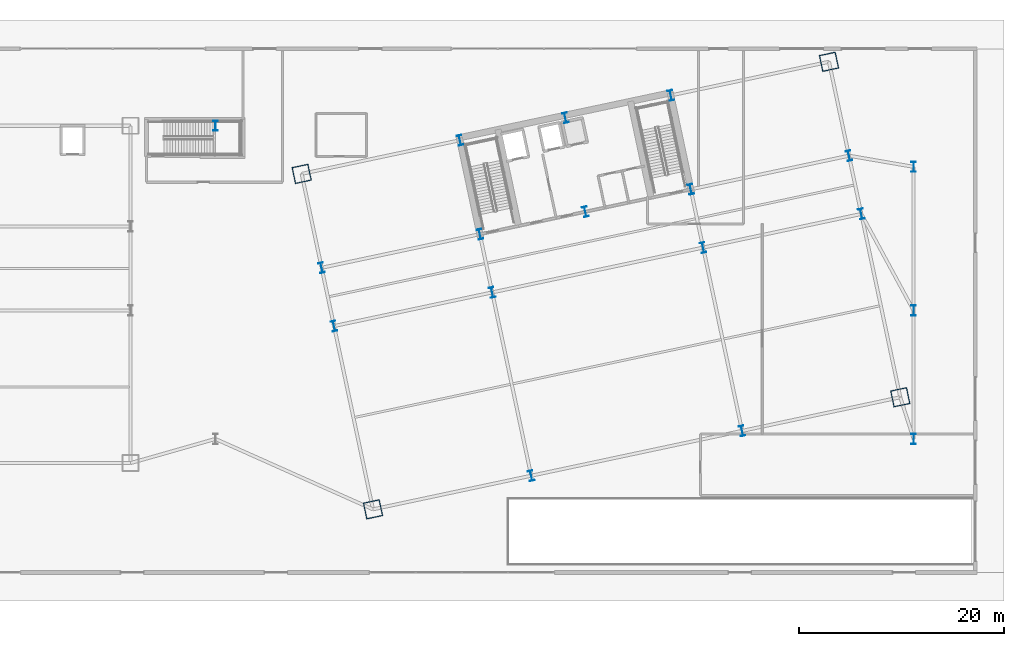
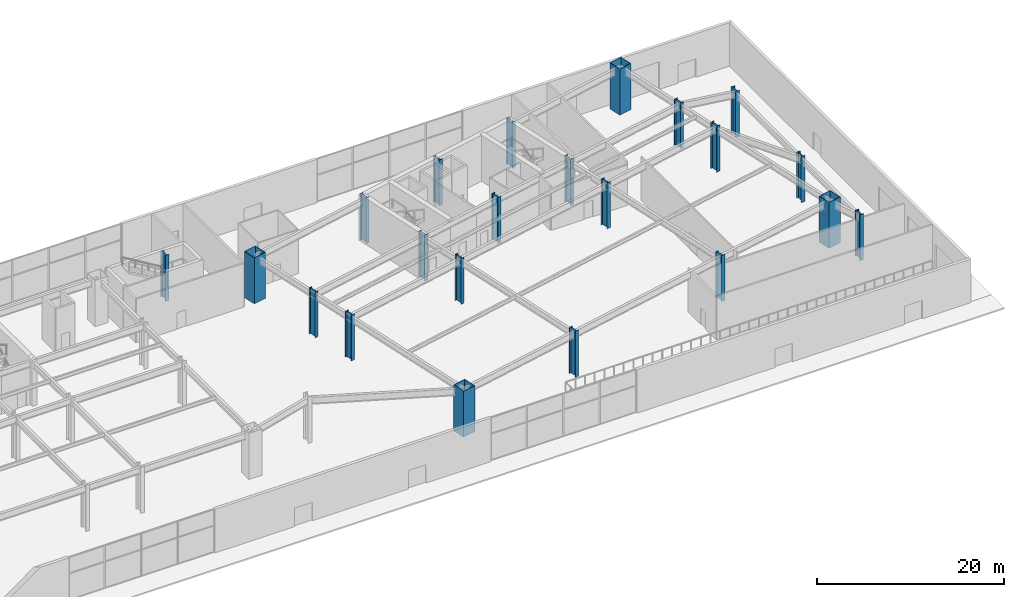
# One storey, part 2 of 30: 22 columns.
"""IFC4 building model written with IfcOpenShell, lengths in metres."""

from ifc_helpers import new_model, si_unit, direction, frame, origin, origin_2d, place, context, subcontext, project, spatial, hollow_rectangle, i_section, extrude, material, material_profile, profile_set, type_object, element, save


model = new_model("IFC4")

# Units and contexts
model_context = context("Model", 3, precision=1e-05, world=origin(), true_north=direction((0.0, 1.0)))
body_context = subcontext(model_context, "Body", "Model", "MODEL_VIEW")
ifc_project = project(units=[si_unit("LENGTHUNIT", "METRE"), si_unit("AREAUNIT", "SQUARE_METRE"), si_unit("VOLUMEUNIT", "CUBIC_METRE"), si_unit("PLANEANGLEUNIT", "RADIAN"), si_unit("MASSUNIT", "GRAM", prefix="KILO")], contexts=[model_context])

# Site, building, storey
site_placement = place(None, origin())
site = spatial("IfcSite", under=ifc_project, at=site_placement, CompositionType="ELEMENT")
building_placement = place(site_placement, origin())
building = spatial("IfcBuilding", under=site, at=building_placement, Name="Haevon Station Towers", CompositionType="ELEMENT")
storey_placement = place(building_placement, origin())
storey = spatial("IfcBuildingStorey", under=building, at=storey_placement, Name="L00", CompositionType="ELEMENT", Elevation=0.0)

# Columns
ifc_material = material(Name="Steel S460", Category="steel")
ifc_material_profile_1 = material_profile(ifc_material, hollow_rectangle(XDim=1.60009765625, YDim=1.60009765625, WallThickness=0.0400390625, at=origin_2d()), Name="BOX-1600x1600x40")
ifc_profile_set_1 = profile_set([ifc_material_profile_1], Name="Steel S460")
column_type_1 = type_object("IfcColumnType", Name="COL-MC1", PredefinedType="COLUMN", material=ifc_profile_set_1)
for number, where, z_axis, x_axis, name in (
    (1, (88.346923828125, 10.643310546875, 0.0), (0.0, 0.0, 1.0), (0.978147600734, 0.207911690818, 0.0), "COL-T2-L00-01-01"),
    (2, (81.402587890625, 43.3134765625, 0.0), (0.0, 0.0, 1.0), (0.978147600734, 0.207911690818, 0.0), "COL-T2-L00-01-04"),
    (3, (139.699462890625, 21.558837890625, 0.0), (0.0, 0.0, 1.0), (0.978147600734, 0.207911690818, 0.0), "COL-T2-L00-05-01"),
    (4, (132.75537109375, 54.228759765625, 0.0), (0.0, 0.0, 1.0), (0.978147600734, 0.207911690818, 0.0), "COL-T2-L00-05-04"),
):
    element("IfcColumn", number, at=place(storey_placement, frame(where, z_axis=z_axis, x_axis=x_axis)), inside=storey, type_object=column_type_1, Name=name, PredefinedType="COLUMN", context=body_context, shape_type="SweptSolid", body=[
        extrude(hollow_rectangle(XDim=1.60009765625, YDim=1.60009765625, WallThickness=0.0400390625, at=origin_2d()), origin(), (0.0, 0.0, 1.0), 6.0),
    ])
ifc_material_profile_2 = material_profile(ifc_material, i_section(OverallWidth=0.449951171875, OverallDepth=1.0, WebThickness=0.02197265625, FlangeThickness=0.0400390625, at=origin_2d()), Name="H-1000x450x22x40")
ifc_profile_set_2 = profile_set([ifc_material_profile_2], Name="Steel S460")
column_type_2 = type_object("IfcColumnType", Name="COL-POD1", PredefinedType="COLUMN", material=ifc_profile_set_2)
for number, where, z_axis, x_axis, name in (
    (5, (84.552490234375, 28.49462890625, 0.0), (0.0, 0.0, 1.0), (0.978147600734, 0.207911690818, 0.0), "COL-T2-L00-01-02"),
    (6, (83.346435546875, 34.167724609375, 0.0), (0.0, 0.0, 1.0), (0.978147600734, 0.207911690818, 0.0), "COL-T2-L00-01-03"),
    (7, (103.752685546875, 13.91796875, 0.0), (0.0, 0.0, 1.0), (0.978147600734, 0.207911690818, 0.0), "COL-T2-L00-02-01"),
    (8, (99.958251953125, 31.76904296875, 0.0), (0.0, 0.0, 1.0), (0.978147600734, 0.207911690818, 0.0), "COL-T2-L00-02-02"),
    (9, (98.75244140625, 37.4423828125, 0.0), (0.0, 0.0, 1.0), (0.978147600734, 0.207911690818, 0.0), "COL-T2-L00-02-03"),
    (10, (96.808349609375, 46.588134765625, 0.0), (0.0, 0.0, 1.0), (0.978147600734, 0.207911690818, 0.0), "COL-T2-L00-02-04"),
    (11, (109.02294921875, 39.62548828125, 0.0), (0.0, 0.0, 1.0), (0.978147600734, 0.207911690818, 0.0), "COL-T2-L00-03-03"),
    (12, (107.078857421875, 48.771240234375, 0.0), (0.0, 0.0, 1.0), (0.978147600734, 0.207911690818, 0.0), "COL-T2-L00-03-04"),
    (13, (124.293701171875, 18.2841796875, 0.0), (0.0, 0.0, 1.0), (0.978147600734, 0.207911690818, 0.0), "COL-T2-L00-04-01"),
    (14, (120.499267578125, 36.13525390625, 0.0), (0.0, 0.0, 1.0), (0.978147600734, 0.207911690818, 0.0), "COL-T2-L00-04-02"),
    (15, (119.29345703125, 41.80859375, 0.0), (0.0, 0.0, 1.0), (0.978147600734, 0.207911690818, 0.0), "COL-T2-L00-04-03"),
    (16, (117.349365234375, 50.954345703125, 0.0), (0.0, 0.0, 1.0), (0.978147600734, 0.207911690818, 0.0), "COL-T2-L00-04-04"),
    (17, (135.9052734375, 39.409912109375, 0.0), (0.0, 0.0, 1.0), (0.978147600734, 0.207911690818, 0.0), "COL-T2-L00-05-02"),
    (18, (134.69921875, 45.083251953125, 0.0), (0.0, 0.0, 1.0), (0.978147600734, 0.207911690818, 0.0), "COL-T2-L00-05-03"),
    (19, (73.0, 48.0, 0.0), (0.0, 0.0, 1.0), (1.0, 0.0, 0.0), "COL-POD-L00-M2"),
    (20, (141.0, 17.5, 0.0), (0.0, 0.0, 1.0), (1.0, 0.0, 0.0), "COL-POD-L00-E1"),
    (21, (141.0, 30.0, 0.0), (0.0, 0.0, 1.0), (1.0, 0.0, 0.0), "COL-POD-L00-E2"),
    (22, (141.0, 44.0, 0.0), (0.0, 0.0, 1.0), (1.0, 0.0, 0.0), "COL-POD-L00-E3"),
):
    element("IfcColumn", number, at=place(storey_placement, frame(where, z_axis=z_axis, x_axis=x_axis)), inside=storey, type_object=column_type_2, Name=name, PredefinedType="COLUMN", context=body_context, shape_type="SweptSolid", body=[
        extrude(i_section(OverallWidth=0.449951171875, OverallDepth=1.0, WebThickness=0.02197265625, FlangeThickness=0.0400390625, at=origin_2d()), origin(), (0.0, 0.0, 1.0), 6.0),
    ])

save(model, "model.ifc")
